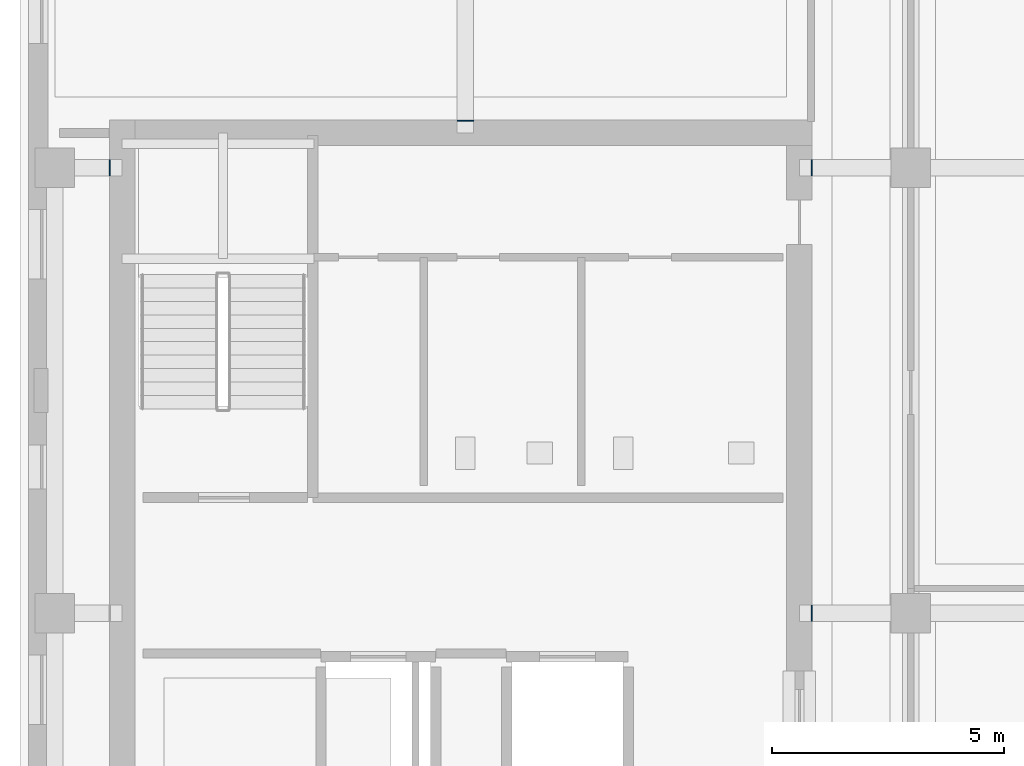
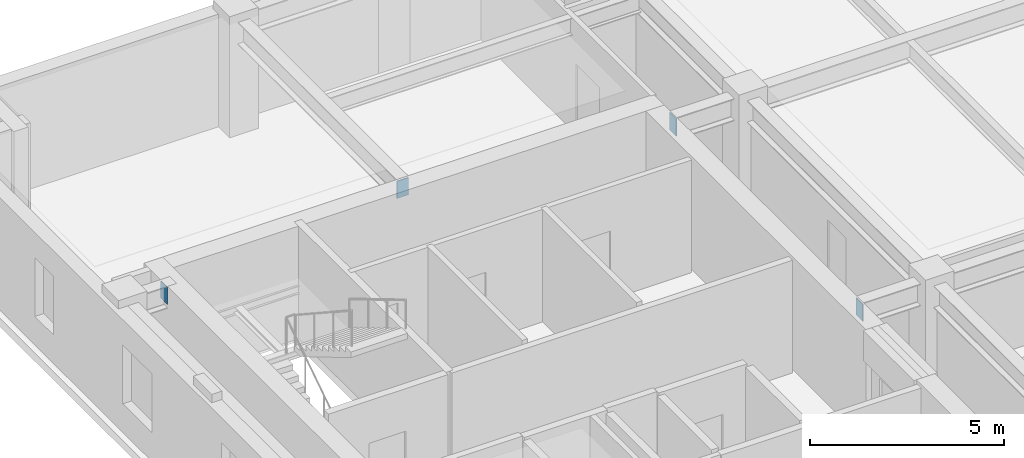
# One storey, part 8 of 14: 4 discrete accessories.
"""IFC4 building model written with IfcOpenShell, lengths in metres."""

from ifc_helpers import new_model, si_unit, direction, frame, origin, origin_2d, place, context, subcontext, project, spatial, rectangle, extrude, material, layer, layer_set, type_object, element, save


model = new_model("IFC4")

# Units and contexts
model_context = context("Model", 3, precision=1e-05, world=origin(), true_north=direction((0.0, 1.0)))
body_context = subcontext(model_context, "Body", "Model", "MODEL_VIEW")
ifc_project = project(units=[si_unit("LENGTHUNIT", "METRE"), si_unit("AREAUNIT", "SQUARE_METRE"), si_unit("VOLUMEUNIT", "CUBIC_METRE"), si_unit("PLANEANGLEUNIT", "RADIAN"), si_unit("MASSUNIT", "GRAM", prefix="KILO")], contexts=[model_context])

# Site, building, storey
site_placement = place(None, origin())
site = spatial("IfcSite", under=ifc_project, at=site_placement, CompositionType="ELEMENT")
building_placement = place(site_placement, origin())
building = spatial("IfcBuilding", under=site, at=building_placement, Name="Norrvale University Quadrangle", CompositionType="ELEMENT")
storey_placement = place(building_placement, frame((0.0, 0.0, 221.800048828125)))
storey = spatial("IfcBuildingStorey", under=building, at=storey_placement, Name="L56", CompositionType="ELEMENT", Elevation=221.800048828125)

# Discrete accessories
ifc_material = material(Name="Steel 350W", Category="steel")
ifc_layer = layer(ifc_material, 0.02490234375, Name="Steel 350W")
ifc_layer_set = layer_set([ifc_layer], Name="Steel 350W")
discrete_accessory_type = type_object("IfcDiscreteAccessoryType", Name="Accessory Cast In Embed Plate", PredefinedType="ANCHORPLATE", material=ifc_layer_set)
for number, where, z_axis, x_axis, name in (
    (1, (17.0625, 37.64990234375, 2.9599609375), (0.0, 0.0, 1.0), (1.0, 0.0, 0.0), "Core Wall Cast-in Embed Plate L56-GCE058"),
    (2, (1.9375, 47.25, 2.9599609375), (0.0, 0.0, 1.0), (1.0, 0.0, 0.0), "Core Wall Cast-in Embed Plate L56-GCW059"),
    (3, (17.0625, 47.25, 2.9599609375), (0.0, 0.0, 1.0), (1.0, 0.0, 0.0), "Core Wall Cast-in Embed Plate L56-GCE060"),
):
    element("IfcDiscreteAccessory", number, at=place(storey_placement, frame(where, z_axis=z_axis, x_axis=x_axis)), inside=storey, type_object=discrete_accessory_type, Name=name, PredefinedType="ANCHORPLATE", context=body_context, shape_type="SweptSolid", body=[
        extrude(rectangle(XDim=0.02490234375, YDim=0.35009765625, at=origin_2d()), origin(), (0.0, 0.0, 1.0), 0.5400390625),
    ])
discrete_accessory_placement = place(storey_placement, frame((9.60009765625, 48.262451171875, 2.9599609375), z_axis=(0.0, 0.0, 1.0), x_axis=(1.0, 0.0, 0.0)))
element("IfcDiscreteAccessory", 4, at=discrete_accessory_placement, inside=storey, type_object=discrete_accessory_type, Name="Core Wall Cast-in Embed Plate L56-GCN078", PredefinedType="ANCHORPLATE", context=body_context, shape_type="SweptSolid", body=[
    extrude(rectangle(XDim=0.35009765625, YDim=0.02490234375, at=origin_2d()), origin(), (0.0, 0.0, 1.0), 0.5400390625),
])

save(model, "model.ifc")
